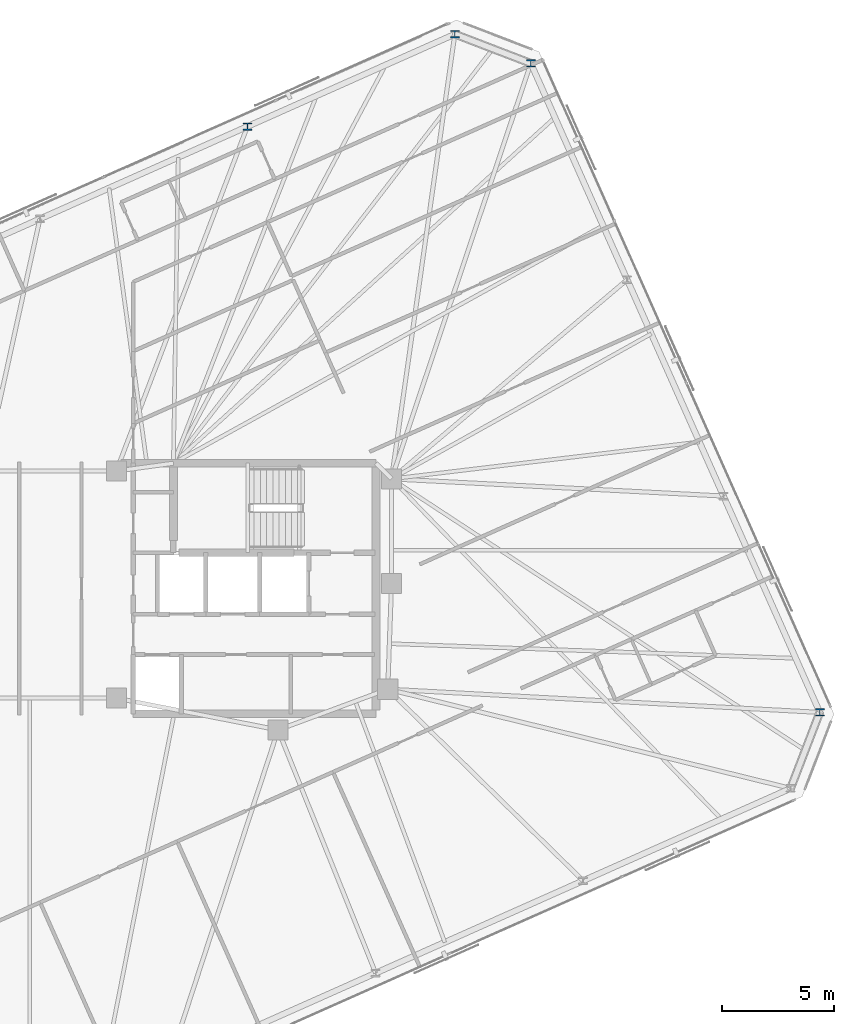
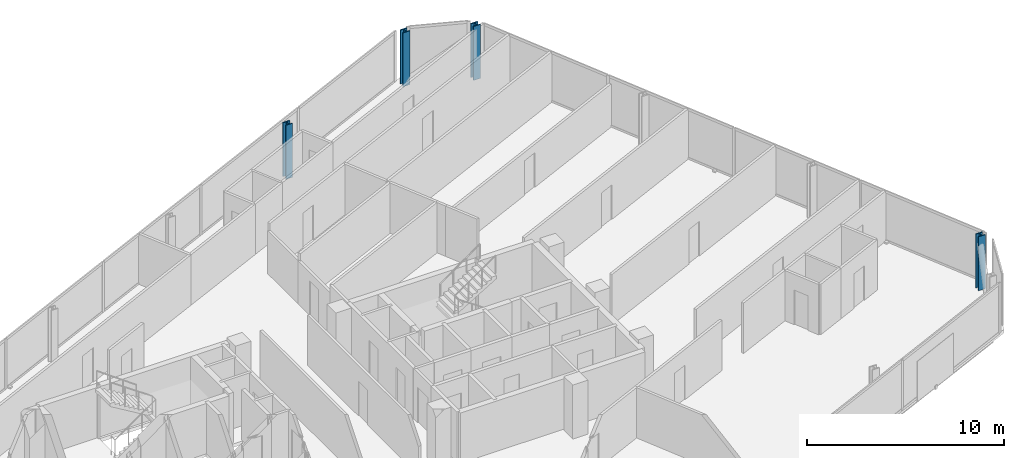
# One storey, part 4 of 19: 4 columns.
"""IFC4 building model written with IfcOpenShell, lengths in metres."""

from ifc_helpers import new_model, si_unit, direction, frame, origin, origin_2d, place, context, subcontext, project, spatial, i_section, extrude, material, material_profile, profile_set, type_object, element, save


model = new_model("IFC4")

# Units and contexts
model_context = context("Model", 3, precision=1e-05, world=origin(), true_north=direction((0.0, 1.0)))
body_context = subcontext(model_context, "Body", "Model", "MODEL_VIEW")
ifc_project = project(units=[si_unit("LENGTHUNIT", "METRE"), si_unit("AREAUNIT", "SQUARE_METRE"), si_unit("VOLUMEUNIT", "CUBIC_METRE"), si_unit("PLANEANGLEUNIT", "RADIAN"), si_unit("MASSUNIT", "GRAM", prefix="KILO")], contexts=[model_context])

# Site, building, storey
site_placement = place(None, origin())
site = spatial("IfcSite", under=ifc_project, at=site_placement, CompositionType="ELEMENT")
building_placement = place(site_placement, origin())
building = spatial("IfcBuilding", under=site, at=building_placement, Name="Menara Jurai Vektor", CompositionType="ELEMENT")
storey_placement = place(building_placement, frame((0.0, 0.0, 288.60009765625)))
storey = spatial("IfcBuildingStorey", under=building, at=storey_placement, Name="L77", CompositionType="ELEMENT", Elevation=288.60009765625)

# Columns
ifc_material = material(Name="Steel S460", Category="steel")
ifc_material_profile = material_profile(ifc_material, i_section(OverallWidth=0.40087890625, OverallDepth=0.3349609375, WebThickness=0.035888671875, FlangeThickness=0.05810546875, FilletRadius=0.014892578125, at=origin_2d()), Name="HD 400x463")
ifc_profile_set = profile_set([ifc_material_profile], Name="Steel S460")
column_type = type_object("IfcColumnType", Name="STR-EXO-BLK5", PredefinedType="COLUMN", material=ifc_profile_set)
for number, where, z_axis, x_axis, name in (
    (1, (34.3916015625, -5.536865234375, 0.0), (0.0, 0.0, 1.0), (1.0, 0.0, 0.0), "Exoskeleton Column BLK5-E1 L77"),
    (2, (21.4755859375, 23.473388671875, 0.0), (0.0, 0.0, 1.0), (1.0, 0.0, 0.0), "Exoskeleton Column BLK5-E4 L77"),
    (3, (18.07958984375, 24.777099609375, 0.0), (0.0, 0.0, 1.0), (1.0, 0.0, 0.0), "Exoskeleton Column BLK5-N1 L77"),
    (4, (8.805908203125, 20.648193359375, 0.0), (0.0, 0.0, 1.0), (1.0, 0.0, 0.0), "Exoskeleton Column BLK5-N2 L77"),
):
    element("IfcColumn", number, at=place(storey_placement, frame(where, z_axis=z_axis, x_axis=x_axis)), inside=storey, type_object=column_type, Name=name, PredefinedType="COLUMN", context=body_context, shape_type="SweptSolid", body=[
        extrude(i_section(OverallWidth=0.40087890625, OverallDepth=0.3349609375, WebThickness=0.035888671875, FlangeThickness=0.05810546875, FilletRadius=0.014892578125, at=origin_2d()), origin(), (0.0, 0.0, 1.0), 3.349853515625),
    ])

save(model, "model.ifc")
